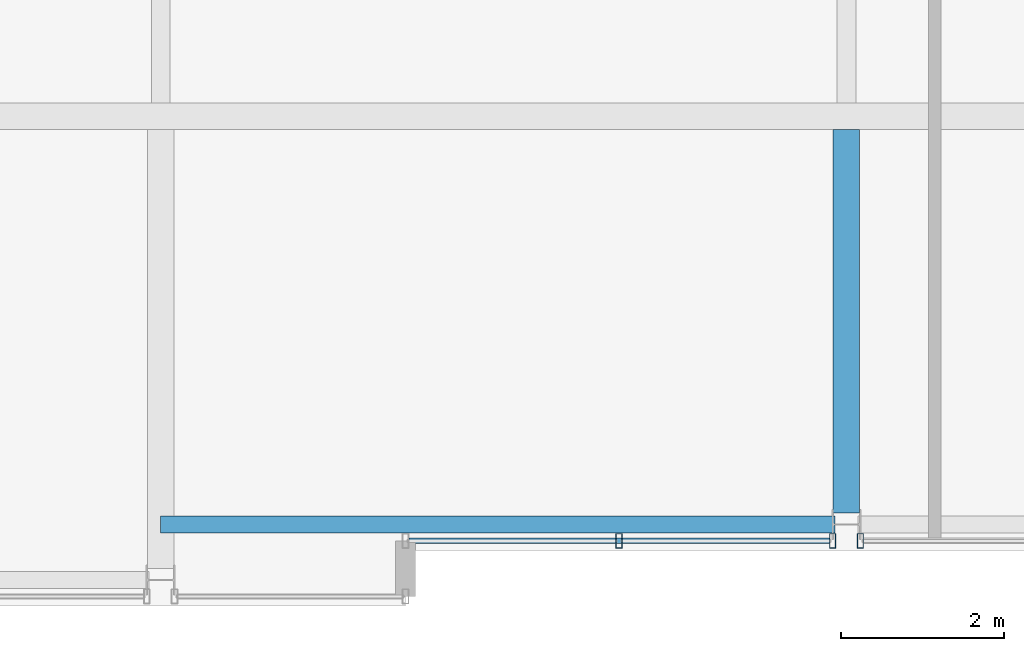
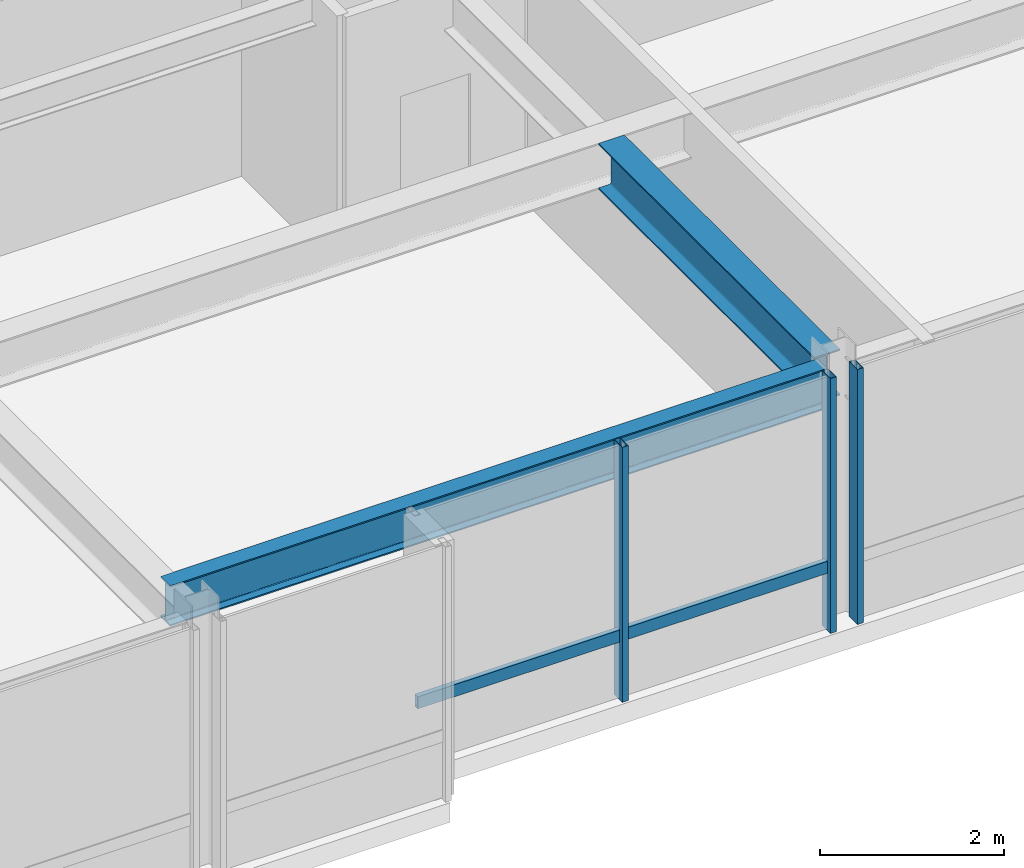
# One storey, part 7 of 33: 4 members, 2 beams, 2 elements without a shape of their own.
"""IFC4 building model written with IfcOpenShell, lengths in metres."""

from ifc_helpers import new_model, si_unit, direction, frame, origin, origin_2d, place, context, subcontext, project, spatial, hollow_rectangle, i_section, extrude, material, layer, layer_set, material_profile, profile_set, type_object, element, aggregate, save


model = new_model("IFC4")

# Units and contexts
model_context = context("Model", 3, precision=1e-05, world=origin(), true_north=direction((0.0, 1.0)))
body_context = subcontext(model_context, "Body", "Model", "MODEL_VIEW")
ifc_project = project(units=[si_unit("LENGTHUNIT", "METRE"), si_unit("AREAUNIT", "SQUARE_METRE"), si_unit("VOLUMEUNIT", "CUBIC_METRE"), si_unit("PLANEANGLEUNIT", "RADIAN"), si_unit("MASSUNIT", "GRAM", prefix="KILO")], contexts=[model_context])

# Site, building, storey
site_placement = place(None, origin())
site = spatial("IfcSite", under=ifc_project, at=site_placement, CompositionType="ELEMENT")
building_placement = place(site_placement, origin())
building = spatial("IfcBuilding", under=site, at=building_placement, Name="Drelvath Grand Hotel", CompositionType="ELEMENT")
storey_placement = place(building_placement, frame((0.0, 0.0, 279.60009765625)))
storey = spatial("IfcBuildingStorey", under=building, at=storey_placement, Name="L73", CompositionType="ELEMENT", Elevation=279.60009765625)

# Curtain wall, members
ifc_material_1 = material(Name="Platinum-Mist Anodised Aluminium Frame", Category="aluminium")
ifc_layer = layer(ifc_material_1, 0.199951171875)
ifc_layer_set = layer_set([ifc_layer], Name="Platinum-Mist Anodised Aluminium Frame")
curtain_wall_type = type_object("IfcCurtainWallType", Name="Stick Curtain Wall CW-05 Platinum Mist High-Rise", PredefinedType="NOTDEFINED", material=ifc_layer_set)
curtain_wall_1_placement = place(storey_placement, origin())
curtain_wall_1 = element("IfcCurtainWall", 1, at=curtain_wall_1_placement, inside=storey, type_object=curtain_wall_type, Name="L73 CW-05 Curtain Wall CW05-L73-SM1", PredefinedType="NOTDEFINED")
ifc_material_profile_1 = material_profile(ifc_material_1, hollow_rectangle(XDim=0.06494140625, YDim=0.159912109375, WallThickness=0.00390625, at=origin_2d()), Name="HSS160X65X4")
ifc_profile_set_1 = profile_set([ifc_material_profile_1], Name="Platinum-Mist Anodised Aluminium Frame")
member_type_1 = type_object("IfcMemberType", Name="Curtain Wall Horizontal Transom CW-05 HSS160X65X4", PredefinedType="USERDEFINED", material=ifc_profile_set_1)
member_1_placement = place(storey_placement, frame((-0.210205078125, 5.60009765625, 0.847412109375), z_axis=(-1.0, 0.0, 0.0), x_axis=(0.0, -1.0, 0.0)))
member_1 = element("IfcMember", 2, at=member_1_placement, type_object=member_type_1, Name="CW05-L73-SM1 Sill Transom", ObjectType="TRANSOM", PredefinedType="USERDEFINED", context=body_context, shape_type="SweptSolid", body=[
    extrude(hollow_rectangle(XDim=0.06494140625, YDim=0.159912109375, WallThickness=0.00390625, at=origin_2d()), origin(), (0.0, 0.0, 1.0), 5.14990234375),
])
ifc_material_profile_2 = material_profile(ifc_material_1, hollow_rectangle(XDim=0.074951171875, YDim=0.179931640625, WallThickness=0.0048828125, at=origin_2d()), Name="HSS180X75X5")
ifc_profile_set_2 = profile_set([ifc_material_profile_2], Name="Platinum-Mist Anodised Aluminium Frame")
member_type_2 = type_object("IfcMemberType", Name="Curtain Wall Vertical Mullion CW-05 HSS180X75X5", PredefinedType="MULLION", material=ifc_profile_set_2)
member_2_placement = place(storey_placement, frame((-0.170166015625, 5.60009765625, 0.0), z_axis=(0.0, 0.0, 1.0), x_axis=(1.0, 0.0, 0.0)))
member_2 = element("IfcMember", 3, at=member_2_placement, type_object=member_type_2, Name="CW05-L73-SM1 Mullion 1", PredefinedType="MULLION", context=body_context, shape_type="SweptSolid", body=[
    extrude(hollow_rectangle(XDim=0.074951171875, YDim=0.179931640625, WallThickness=0.0048828125, at=origin_2d()), origin(), (0.0, 0.0, 1.0), 3.389892578125),
])
member_3_placement = place(storey_placement, frame((-2.78515625, 5.60009765625, 0.0), z_axis=(0.0, 0.0, 1.0), x_axis=(1.0, 0.0, 0.0)))
member_3 = element("IfcMember", 4, at=member_3_placement, type_object=member_type_2, Name="CW05-L73-SM1 Mullion 2", PredefinedType="MULLION", context=body_context, shape_type="SweptSolid", body=[
    extrude(hollow_rectangle(XDim=0.074951171875, YDim=0.179931640625, WallThickness=0.0048828125, at=origin_2d()), origin(), (0.0, 0.0, 1.0), 3.389892578125),
])
aggregate(curtain_wall_1, [member_2, member_3, member_1])

# Curtain wall, member
curtain_wall_2_placement = place(storey_placement, origin())
curtain_wall_2 = element("IfcCurtainWall", 5, at=curtain_wall_2_placement, inside=storey, type_object=curtain_wall_type, Name="L73 CW-05 Curtain Wall CW05-L73-SM2", PredefinedType="NOTDEFINED")
member_4_placement = place(storey_placement, frame((0.170166015625, 5.60009765625, 0.0), z_axis=(0.0, 0.0, 1.0), x_axis=(1.0, 0.0, 0.0)))
member_4 = element("IfcMember", 6, at=member_4_placement, type_object=member_type_2, Name="CW05-L73-SM2 Mullion 3", PredefinedType="MULLION", context=body_context, shape_type="SweptSolid", body=[
    extrude(hollow_rectangle(XDim=0.074951171875, YDim=0.179931640625, WallThickness=0.0048828125, at=origin_2d()), origin(), (0.0, 0.0, 1.0), 3.389892578125),
])
aggregate(curtain_wall_2, [member_4])

# Beams
ifc_material_2 = material(Name="Steel ASTM A992 Gr 50", Category="steel")
ifc_material_profile_3 = material_profile(ifc_material_2, i_section(OverallWidth=0.210205078125, OverallDepth=0.53662109375, WebThickness=0.010986328125, FlangeThickness=0.017333984375, FilletRadius=0.01806640625, at=origin_2d()), Name="W21X68")
ifc_profile_set_3 = profile_set([ifc_material_profile_3], Name="Steel ASTM A992 Gr 50")
beam_type_1 = type_object("IfcBeamType", Name="Perimeter Spandrel Beam W21X68", PredefinedType="SPANDREL", material=ifc_profile_set_3)
beam_1_placement = place(storey_placement, frame((-8.39990234375, 5.800048828125, 3.12158203125), z_axis=(1.0, 0.0, 0.0), x_axis=(0.0, 1.0, 0.0)))
element("IfcBeam", 7, at=beam_1_placement, inside=storey, type_object=beam_type_1, Name="L73 Spandrel South Mid W", PredefinedType="SPANDREL", context=body_context, shape_type="SweptSolid", body=[
    extrude(i_section(OverallWidth=0.210205078125, OverallDepth=0.53662109375, WebThickness=0.010986328125, FlangeThickness=0.017333984375, FilletRadius=0.01806640625, at=origin_2d()), origin(), (0.0, 0.0, 1.0), 8.260009765625),
])
ifc_material_profile_4 = material_profile(ifc_material_2, i_section(OverallWidth=0.323974609375, OverallDepth=0.611083984375, WebThickness=0.0126953125, FlangeThickness=0.01904296875, FilletRadius=0.02197265625, at=origin_2d()), Name="W24X104")
ifc_profile_set_4 = profile_set([ifc_material_profile_4], Name="Steel ASTM A992 Gr 50")
beam_type_2 = type_object("IfcBeamType", Name="Primary Floor Girder W24X104", PredefinedType="BEAM", material=ifc_profile_set_4)
beam_2_placement = place(storey_placement, frame((0.0, 5.93994140625, 3.08447265625), z_axis=(0.0, 1.0, 0.0), x_axis=(-1.0, 0.0, 0.0)))
element("IfcBeam", 8, at=beam_2_placement, inside=storey, type_object=beam_type_2, Name="L73 South Wing Girder 5", PredefinedType="BEAM", context=body_context, shape_type="SweptSolid", body=[
    extrude(i_section(OverallWidth=0.323974609375, OverallDepth=0.611083984375, WebThickness=0.0126953125, FlangeThickness=0.01904296875, FilletRadius=0.02197265625, at=origin_2d()), origin(), (0.0, 0.0, 1.0), 4.697998046875),
])

save(model, "model.ifc")
